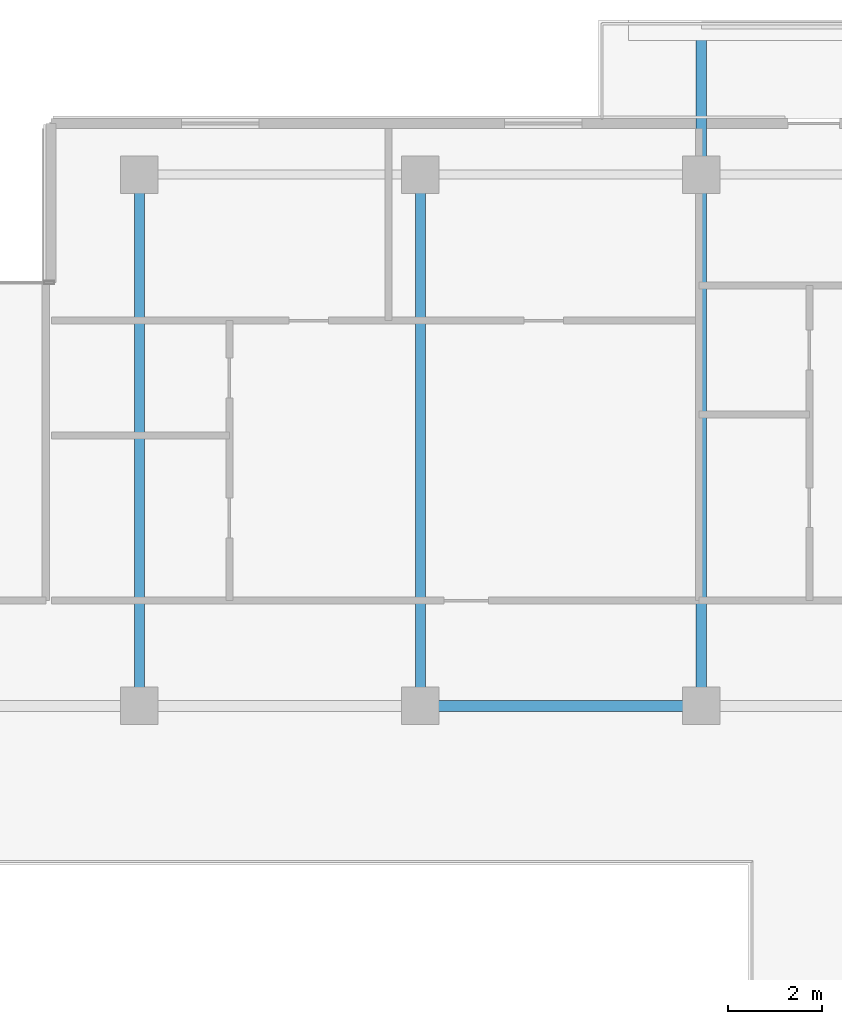
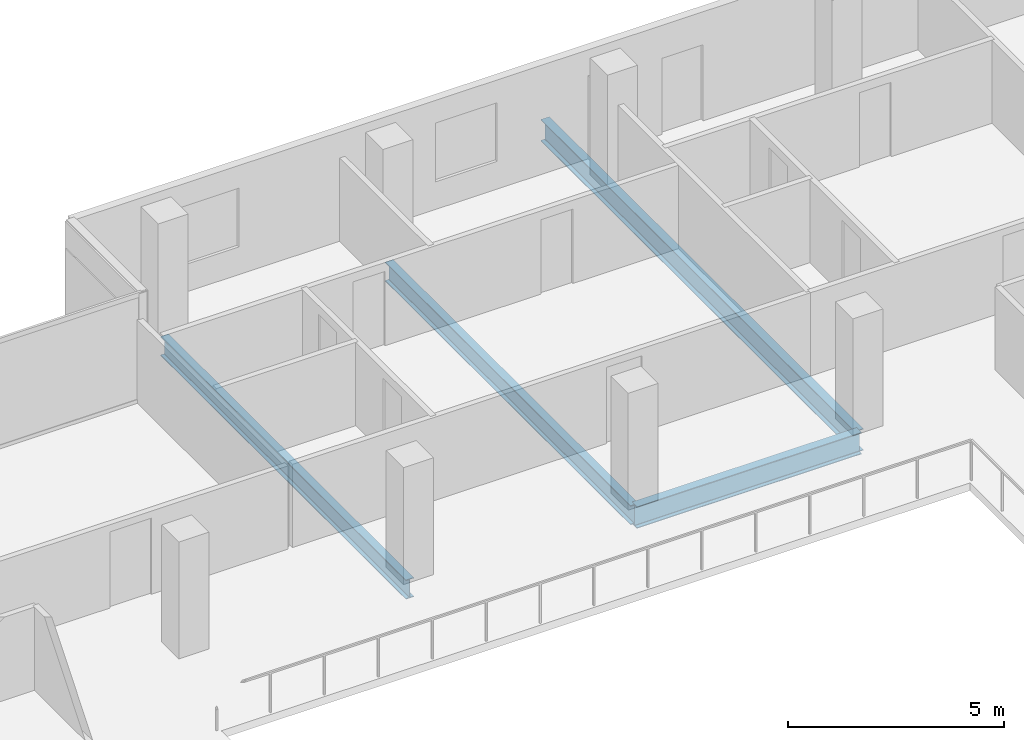
# One storey, part 7 of 20: 4 beams.
"""IFC4 building model written with IfcOpenShell, lengths in metres."""

from ifc_helpers import new_model, si_unit, direction, frame, origin, origin_2d, place, context, subcontext, project, spatial, i_section, extrude, material, material_profile, profile_set, type_object, element, save


model = new_model("IFC4")

# Units and contexts
model_context = context("Model", 3, precision=1e-05, world=origin(), true_north=direction((0.0, 1.0)))
body_context = subcontext(model_context, "Body", "Model", "MODEL_VIEW")
ifc_project = project(units=[si_unit("LENGTHUNIT", "METRE"), si_unit("AREAUNIT", "SQUARE_METRE"), si_unit("VOLUMEUNIT", "CUBIC_METRE"), si_unit("PLANEANGLEUNIT", "RADIAN"), si_unit("MASSUNIT", "GRAM", prefix="KILO")], contexts=[model_context])

# Site, building, storey
site_placement = place(None, origin())
site = spatial("IfcSite", under=ifc_project, at=site_placement, CompositionType="ELEMENT")
building_placement = place(site_placement, origin())
building = spatial("IfcBuilding", under=site, at=building_placement, Name="Tanjung Sevakor Pilgrim Tower", CompositionType="ELEMENT")
storey_placement = place(building_placement, frame((0.0, 0.0, 201.6298828125)))
storey = spatial("IfcBuildingStorey", under=building, at=storey_placement, Name="L56", CompositionType="ELEMENT", Elevation=201.6298828125)

# Beams
ifc_material_1 = material(Name="Steel S355J2", Category="steel")
ifc_material_profile_1 = material_profile(ifc_material_1, i_section(OverallWidth=0.22900390625, OverallDepth=0.6123046875, WebThickness=0.011962890625, FlangeThickness=0.01953125, FilletRadius=0.0126953125, at=origin_2d()))
ifc_profile_set_1 = profile_set([ifc_material_profile_1], Name="Steel S355J2")
beam_type_1 = type_object("IfcBeamType", Name="BM-B-G4-UB_610x229x125", PredefinedType="BEAM", material=ifc_profile_set_1)
beam_1_placement = place(storey_placement, frame((60.0, 42.60009765625, -0.52587890625), z_axis=(1.0, 0.0, 0.0), x_axis=(0.0, 1.0, 0.0)))
element("IfcBeam", 1, at=beam_1_placement, inside=storey, type_object=beam_type_1, Name="L56 Primary Floor Girder MAIN Y426-06", PredefinedType="BEAM", context=body_context, shape_type="SweptSolid", body=[
    extrude(i_section(OverallWidth=0.22900390625, OverallDepth=0.6123046875, WebThickness=0.011962890625, FlangeThickness=0.01953125, FilletRadius=0.0126953125, at=origin_2d()), origin(), (0.0, 0.0, 1.0), 6.0),
])
beam_2_placement = place(storey_placement, frame((66.0, 42.60009765625, -0.52587890625), z_axis=(0.0, 1.0, 0.0), x_axis=(-1.0, 0.0, 0.0)))
element("IfcBeam", 2, at=beam_2_placement, inside=storey, type_object=beam_type_1, Name="L56 Balcony Cantilever Beam MAIN-N2-1", PredefinedType="BEAM", context=body_context, shape_type="SweptSolid", body=[
    extrude(i_section(OverallWidth=0.22900390625, OverallDepth=0.6123046875, WebThickness=0.011962890625, FlangeThickness=0.01953125, FilletRadius=0.0126953125, at=origin_2d()), origin(), (0.0, 0.0, 1.0), 14.52978515625),
])
ifc_material_2 = material(Name="Steel S355J2", Category="steel")
ifc_material_profile_2 = material_profile(ifc_material_2, i_section(OverallWidth=0.2119140625, OverallDepth=0.54443359375, WebThickness=0.0126953125, FlangeThickness=0.021240234375, FilletRadius=0.0126953125, at=origin_2d()))
ifc_profile_set_2 = profile_set([ifc_material_profile_2], Name="Steel S355J2")
beam_type_2 = type_object("IfcBeamType", Name="BM-B-G5-UB_533x210x122", PredefinedType="BEAM", material=ifc_profile_set_2)
for number, where, z_axis, x_axis, name in (
    (3, (54.0, 42.60009765625, -0.4921875), (0.0, 1.0, 0.0), (-1.0, 0.0, 0.0), "L56 MAIN Girder 005"),
    (4, (60.0, 42.60009765625, -0.4921875), (0.0, 1.0, 0.0), (-1.0, 0.0, 0.0), "L56 MAIN Girder 007"),
):
    element("IfcBeam", number, at=place(storey_placement, frame(where, z_axis=z_axis, x_axis=x_axis)), inside=storey, type_object=beam_type_2, Name=name, PredefinedType="BEAM", context=body_context, shape_type="SweptSolid", body=[
        extrude(i_section(OverallWidth=0.2119140625, OverallDepth=0.54443359375, WebThickness=0.0126953125, FlangeThickness=0.021240234375, FilletRadius=0.0126953125, at=origin_2d()), origin(), (0.0, 0.0, 1.0), 11.349853515625),
    ])

save(model, "model.ifc")
